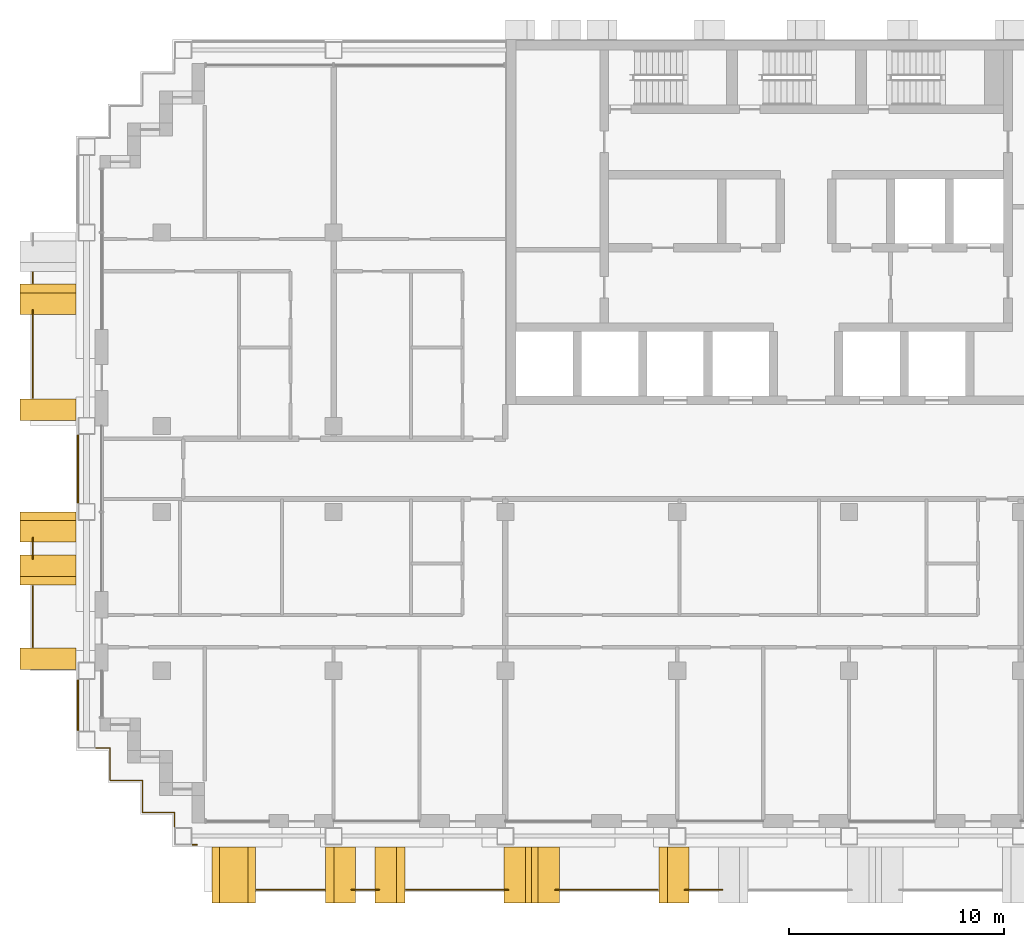
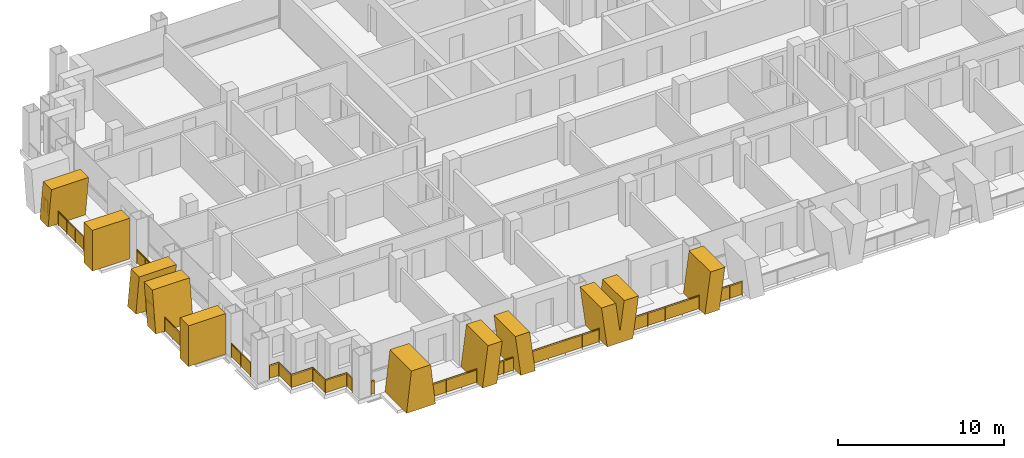
# One storey, part 13 of 17: 13 railings, 10 shading devices.
"""IFC4 building model written with IfcOpenShell, lengths in metres."""

from ifc_helpers import new_model, si_unit, direction, frame, origin, origin_2d, place, context, subcontext, project, spatial, polyline, rectangle, circle, outline, extrude, material, layer, layer_set, type_object, element, save


model = new_model("IFC4")

# Units and contexts
model_context = context("Model", 3, precision=1e-05, world=origin(), true_north=direction((0.0, 1.0)))
body_context = subcontext(model_context, "Body", "Model", "MODEL_VIEW")
ifc_project = project(units=[si_unit("LENGTHUNIT", "METRE"), si_unit("AREAUNIT", "SQUARE_METRE"), si_unit("VOLUMEUNIT", "CUBIC_METRE"), si_unit("PLANEANGLEUNIT", "RADIAN"), si_unit("MASSUNIT", "GRAM", prefix="KILO")], contexts=[model_context])

# Site, building, storey
site_placement = place(None, origin())
site = spatial("IfcSite", under=ifc_project, at=site_placement, CompositionType="ELEMENT")
building_placement = place(site_placement, origin())
building = spatial("IfcBuilding", under=site, at=building_placement, Name="Vidyagriha Tower", CompositionType="ELEMENT")
storey_placement = place(building_placement, frame((0.0, 0.0, 139.0)))
storey = spatial("IfcBuildingStorey", under=building, at=storey_placement, Name="L36", CompositionType="ELEMENT", Elevation=139.0)

# Railings
ifc_material_1 = material(Name="Steel ASTM A500 Grade C black painted", Category="steel")
railing_type_1 = type_object("IfcRailingType", Name="Balcony guard 1100", PredefinedType="BALUSTRADE", material=ifc_material_1)
railing_1_placement = place(storey_placement, frame((-36.0, 9.14990234375, 0.0)))
element("IfcRailing", 1, at=railing_1_placement, inside=storey, type_object=railing_type_1, Name="Balcony guard L36 R16.1-2", PredefinedType="BALUSTRADE", context=body_context, shape_type="SweptSolid", body=[
    extrude(circle(Radius=0.02490234375, at=origin_2d()), frame((0.0, 0.0, 1.0751953125), z_axis=(0.0, -1.0, 0.0), x_axis=(1.0, 0.0, 0.0)), (0.0, 0.0, 1.0), 0.5),
    extrude(circle(Radius=0.02001953125, at=origin_2d()), origin(), (0.0, 0.0, 1.0), 1.050048828125),
    extrude(circle(Radius=0.02001953125, at=origin_2d()), frame((0.0, -0.5, 0.0)), (0.0, 0.0, 1.0), 1.050048828125),
    extrude(rectangle(XDim=0.010009765625, YDim=0.900146484375, at=origin_2d()), frame((0.0, 0.0, 0.550048828125), z_axis=(0.0, -1.0, 0.0), x_axis=(1.0, 0.0, 0.0)), (0.0, 0.0, 1.0), 0.5),
])
railing_2_placement = place(storey_placement, frame((-36.0, 7.396728515625, 0.0)))
element("IfcRailing", 2, at=railing_2_placement, inside=storey, type_object=railing_type_1, Name="Balcony guard L36 R16.1-3", PredefinedType="BALUSTRADE", context=body_context, shape_type="SweptSolid", body=[
    extrude(circle(Radius=0.02490234375, at=origin_2d()), frame((0.0, 0.0, 1.0751953125), z_axis=(0.0, -1.0, 0.0), x_axis=(1.0, 0.0, 0.0)), (0.0, 0.0, 1.0), 4.0966796875),
    extrude(circle(Radius=0.02001953125, at=origin_2d()), origin(), (0.0, 0.0, 1.0), 1.050048828125),
    extrude(circle(Radius=0.02001953125, at=origin_2d()), frame((0.0, -1.024169921875, 0.0)), (0.0, 0.0, 1.0), 1.050048828125),
    extrude(circle(Radius=0.02001953125, at=origin_2d()), frame((0.0, -2.04833984375, 0.0)), (0.0, 0.0, 1.0), 1.050048828125),
    extrude(circle(Radius=0.02001953125, at=origin_2d()), frame((0.0, -3.072509765625, 0.0)), (0.0, 0.0, 1.0), 1.050048828125),
    extrude(circle(Radius=0.02001953125, at=origin_2d()), frame((0.0, -4.0966796875, 0.0)), (0.0, 0.0, 1.0), 1.050048828125),
    extrude(rectangle(XDim=0.010009765625, YDim=0.900146484375, at=origin_2d()), frame((0.0, 0.0, 0.550048828125), z_axis=(0.0, -1.0, 0.0), x_axis=(1.0, 0.0, 0.0)), (0.0, 0.0, 1.0), 4.0966796875),
])
railing_3_placement = place(storey_placement, frame((-36.0, -3.203369140625, 0.0)))
element("IfcRailing", 3, at=railing_3_placement, inside=storey, type_object=railing_type_1, Name="Balcony guard L36 R16.2-1", PredefinedType="BALUSTRADE", context=body_context, shape_type="SweptSolid", body=[
    extrude(circle(Radius=0.02490234375, at=origin_2d()), frame((0.0, 0.0, 1.0751953125), z_axis=(0.0, -1.0, 0.0), x_axis=(1.0, 0.0, 0.0)), (0.0, 0.0, 1.0), 0.993408203125),
    extrude(circle(Radius=0.02001953125, at=origin_2d()), origin(), (0.0, 0.0, 1.0), 1.050048828125),
    extrude(circle(Radius=0.02001953125, at=origin_2d()), frame((0.0, -0.993408203125, 0.0)), (0.0, 0.0, 1.0), 1.050048828125),
    extrude(rectangle(XDim=0.010009765625, YDim=0.900146484375, at=origin_2d()), frame((0.0, 0.0, 0.550048828125), z_axis=(0.0, -1.0, 0.0), x_axis=(1.0, 0.0, 0.0)), (0.0, 0.0, 1.0), 0.993408203125),
])
railing_4_placement = place(storey_placement, frame((-36.0, -5.449951171875, 0.0)))
element("IfcRailing", 4, at=railing_4_placement, inside=storey, type_object=railing_type_1, Name="Balcony guard L36 R16.2-2", PredefinedType="BALUSTRADE", context=body_context, shape_type="SweptSolid", body=[
    extrude(circle(Radius=0.02490234375, at=origin_2d()), frame((0.0, 0.0, 1.0751953125), z_axis=(0.0, -1.0, 0.0), x_axis=(1.0, 0.0, 0.0)), (0.0, 0.0, 1.0), 2.85009765625),
    extrude(circle(Radius=0.02001953125, at=origin_2d()), origin(), (0.0, 0.0, 1.0), 1.050048828125),
    extrude(circle(Radius=0.02001953125, at=origin_2d()), frame((0.0, -0.949951171875, 0.0)), (0.0, 0.0, 1.0), 1.050048828125),
    extrude(circle(Radius=0.02001953125, at=origin_2d()), frame((0.0, -1.900146484375, 0.0)), (0.0, 0.0, 1.0), 1.050048828125),
    extrude(circle(Radius=0.02001953125, at=origin_2d()), frame((0.0, -2.85009765625, 0.0)), (0.0, 0.0, 1.0), 1.050048828125),
    extrude(rectangle(XDim=0.010009765625, YDim=0.900146484375, at=origin_2d()), frame((0.0, 0.0, 0.550048828125), z_axis=(0.0, -1.0, 0.0), x_axis=(1.0, 0.0, 0.0)), (0.0, 0.0, 1.0), 2.85009765625),
])
railing_5_placement = place(storey_placement, frame((-25.590087890625, -19.60009765625, 0.0)))
element("IfcRailing", 5, at=railing_5_placement, inside=storey, type_object=railing_type_1, Name="Balcony guard L36 R23.1-1", PredefinedType="BALUSTRADE", context=body_context, shape_type="SweptSolid", body=[
    extrude(circle(Radius=0.02490234375, at=origin_2d()), frame((0.0, 0.0, 1.0751953125), z_axis=(1.0, 0.0, 0.0), x_axis=(0.0, 1.0, 0.0)), (0.0, 0.0, 1.0), 3.17333984375),
    extrude(circle(Radius=0.02001953125, at=origin_2d()), origin(), (0.0, 0.0, 1.0), 1.050048828125),
    extrude(circle(Radius=0.02001953125, at=origin_2d()), frame((1.057861328125, 0.0, 0.0)), (0.0, 0.0, 1.0), 1.050048828125),
    extrude(circle(Radius=0.02001953125, at=origin_2d()), frame((2.115478515625, 0.0, 0.0)), (0.0, 0.0, 1.0), 1.050048828125),
    extrude(circle(Radius=0.02001953125, at=origin_2d()), frame((3.17333984375, 0.0, 0.0)), (0.0, 0.0, 1.0), 1.050048828125),
    extrude(rectangle(XDim=0.010009765625, YDim=0.900146484375, at=origin_2d()), frame((0.0, 0.0, 0.550048828125), z_axis=(1.0, 0.0, 0.0), x_axis=(0.0, 1.0, 0.0)), (0.0, 0.0, 1.0), 3.17333984375),
])
railing_6_placement = place(storey_placement, frame((-21.169677734375, -19.60009765625, 0.0)))
element("IfcRailing", 6, at=railing_6_placement, inside=storey, type_object=railing_type_1, Name="Balcony guard L36 R23.1-2", PredefinedType="BALUSTRADE", context=body_context, shape_type="SweptSolid", body=[
    extrude(circle(Radius=0.02490234375, at=origin_2d()), frame((0.0, 0.0, 1.0751953125), z_axis=(1.0, 0.0, 0.0), x_axis=(0.0, 1.0, 0.0)), (0.0, 0.0, 1.0), 1.289306640625),
    extrude(circle(Radius=0.02001953125, at=origin_2d()), origin(), (0.0, 0.0, 1.0), 1.050048828125),
    extrude(circle(Radius=0.02001953125, at=origin_2d()), frame((0.64453125, 0.0, 0.0)), (0.0, 0.0, 1.0), 1.050048828125),
    extrude(circle(Radius=0.02001953125, at=origin_2d()), frame((1.289306640625, 0.0, 0.0)), (0.0, 0.0, 1.0), 1.050048828125),
    extrude(rectangle(XDim=0.010009765625, YDim=0.900146484375, at=origin_2d()), frame((0.0, 0.0, 0.550048828125), z_axis=(1.0, 0.0, 0.0), x_axis=(0.0, 1.0, 0.0)), (0.0, 0.0, 1.0), 1.289306640625),
])
railing_7_placement = place(storey_placement, frame((-18.63330078125, -19.60009765625, 0.0)))
element("IfcRailing", 7, at=railing_7_placement, inside=storey, type_object=railing_type_1, Name="Balcony guard L36 R23.1-3", PredefinedType="BALUSTRADE", context=body_context, shape_type="SweptSolid", body=[
    extrude(circle(Radius=0.02490234375, at=origin_2d()), frame((0.0, 0.0, 1.0751953125), z_axis=(1.0, 0.0, 0.0), x_axis=(0.0, 1.0, 0.0)), (0.0, 0.0, 1.0), 4.761962890625),
    extrude(circle(Radius=0.02001953125, at=origin_2d()), origin(), (0.0, 0.0, 1.0), 1.050048828125),
    extrude(circle(Radius=0.02001953125, at=origin_2d()), frame((1.1904296875, 0.0, 0.0)), (0.0, 0.0, 1.0), 1.050048828125),
    extrude(circle(Radius=0.02001953125, at=origin_2d()), frame((2.380859375, 0.0, 0.0)), (0.0, 0.0, 1.0), 1.050048828125),
    extrude(circle(Radius=0.02001953125, at=origin_2d()), frame((3.571533203125, 0.0, 0.0)), (0.0, 0.0, 1.0), 1.050048828125),
    extrude(circle(Radius=0.02001953125, at=origin_2d()), frame((4.761962890625, 0.0, 0.0)), (0.0, 0.0, 1.0), 1.050048828125),
    extrude(rectangle(XDim=0.010009765625, YDim=0.900146484375, at=origin_2d()), frame((0.0, 0.0, 0.550048828125), z_axis=(1.0, 0.0, 0.0), x_axis=(0.0, 1.0, 0.0)), (0.0, 0.0, 1.0), 4.761962890625),
])
railing_8_placement = place(storey_placement, frame((-11.678466796875, -19.60009765625, 0.0)))
element("IfcRailing", 8, at=railing_8_placement, inside=storey, type_object=railing_type_1, Name="Balcony guard L36 R23.1-4", PredefinedType="BALUSTRADE", context=body_context, shape_type="SweptSolid", body=[
    extrude(circle(Radius=0.02490234375, at=origin_2d()), frame((0.0, 0.0, 1.0751953125), z_axis=(1.0, 0.0, 0.0), x_axis=(0.0, 1.0, 0.0)), (0.0, 0.0, 1.0), 4.7734375),
    extrude(circle(Radius=0.02001953125, at=origin_2d()), origin(), (0.0, 0.0, 1.0), 1.050048828125),
    extrude(circle(Radius=0.02001953125, at=origin_2d()), frame((1.193359375, 0.0, 0.0)), (0.0, 0.0, 1.0), 1.050048828125),
    extrude(circle(Radius=0.02001953125, at=origin_2d()), frame((2.38671875, 0.0, 0.0)), (0.0, 0.0, 1.0), 1.050048828125),
    extrude(circle(Radius=0.02001953125, at=origin_2d()), frame((3.580078125, 0.0, 0.0)), (0.0, 0.0, 1.0), 1.050048828125),
    extrude(circle(Radius=0.02001953125, at=origin_2d()), frame((4.7734375, 0.0, 0.0)), (0.0, 0.0, 1.0), 1.050048828125),
    extrude(rectangle(XDim=0.010009765625, YDim=0.900146484375, at=origin_2d()), frame((0.0, 0.0, 0.550048828125), z_axis=(1.0, 0.0, 0.0), x_axis=(0.0, 1.0, 0.0)), (0.0, 0.0, 1.0), 4.7734375),
])
railing_9_placement = place(storey_placement, frame((-5.653564453125, -19.60009765625, 0.0)))
element("IfcRailing", 9, at=railing_9_placement, inside=storey, type_object=railing_type_1, Name="Balcony guard L36 R23.1-5", PredefinedType="BALUSTRADE", context=body_context, shape_type="SweptSolid", body=[
    extrude(circle(Radius=0.02490234375, at=origin_2d()), frame((0.0, 0.0, 1.0751953125), z_axis=(1.0, 0.0, 0.0), x_axis=(0.0, 1.0, 0.0)), (0.0, 0.0, 1.0), 1.757080078125),
    extrude(circle(Radius=0.02001953125, at=origin_2d()), origin(), (0.0, 0.0, 1.0), 1.050048828125),
    extrude(circle(Radius=0.02001953125, at=origin_2d()), frame((0.87841796875, 0.0, 0.0)), (0.0, 0.0, 1.0), 1.050048828125),
    extrude(circle(Radius=0.02001953125, at=origin_2d()), frame((1.757080078125, 0.0, 0.0)), (0.0, 0.0, 1.0), 1.050048828125),
    extrude(rectangle(XDim=0.010009765625, YDim=0.900146484375, at=origin_2d()), frame((0.0, 0.0, 0.550048828125), z_axis=(1.0, 0.0, 0.0), x_axis=(0.0, 1.0, 0.0)), (0.0, 0.0, 1.0), 1.757080078125),
])

# Shading devices
ifc_material_2 = material(Name="Precast concrete C40/50 with buff brick facing", Category="concrete")
ifc_layer_1 = layer(ifc_material_2, 1.0)
ifc_layer_set_1 = layer_set([ifc_layer_1], Name="Precast concrete C40/50 with buff brick facing")
shading_device_type_1 = type_object("IfcShadingDeviceType", Name="Brick-faced blade fin arm leaning 8 degrees", PredefinedType="USERDEFINED", material=ifc_layer_set_1)
shading_device_1_placement = place(storey_placement, frame((-35.300048828125, 8.60009765625, 0.0), z_axis=(0.0, 0.0, 1.0), x_axis=(0.0, -1.0, 0.0)))
element("IfcShadingDevice", 10, at=shading_device_1_placement, inside=storey, type_object=shading_device_type_1, Name="Leaning blade fin L36 R16.300a", ObjectType="BLADE FIN", PredefinedType="USERDEFINED", context=body_context, shape_type="SweptSolid", body=[
    extrude(outline(polyline([(0.0, 0.0), (1.0, 0.0), (1.39990234375, 3.0), (0.39990234375, 3.0), (0.0, 0.0)])), frame((0.0, 1.300048828125, 0.0), z_axis=(0.0, -1.0, 0.0), x_axis=(1.0, 0.0, 0.0)), (0.0, 0.0, 1.0), 2.60009765625),
])
shading_device_2_placement = place(storey_placement, frame((-35.300048828125, -4.0, 0.0), z_axis=(0.0, 0.0, 1.0), x_axis=(0.0, -1.0, 0.0)))
element("IfcShadingDevice", 11, at=shading_device_2_placement, inside=storey, type_object=shading_device_type_1, Name="Leaning blade fin L36 R16.1600a", ObjectType="BLADE FIN", PredefinedType="USERDEFINED", context=body_context, shape_type="SweptSolid", body=[
    extrude(outline(polyline([(0.39990234375, 0.0), (1.39990234375, 0.0), (1.0, 3.0), (0.0, 3.0), (0.39990234375, 0.0)])), frame((0.0, 1.300048828125, 0.0), z_axis=(0.0, -1.0, 0.0), x_axis=(1.0, 0.0, 0.0)), (0.0, 0.0, 1.0), 2.60009765625),
])
shading_device_3_placement = place(storey_placement, frame((-35.300048828125, -2.0, 0.0), z_axis=(0.0, 0.0, 1.0), x_axis=(0.0, -1.0, 0.0)))
element("IfcShadingDevice", 12, at=shading_device_3_placement, inside=storey, type_object=shading_device_type_1, Name="Leaning blade fin L36 R16.1600b", ObjectType="BLADE FIN", PredefinedType="USERDEFINED", context=body_context, shape_type="SweptSolid", body=[
    extrude(outline(polyline([(0.0, 0.0), (1.0, 0.0), (1.39990234375, 3.0), (0.39990234375, 3.0), (0.0, 0.0)])), frame((0.0, 1.300048828125, 0.0), z_axis=(0.0, -1.0, 0.0), x_axis=(1.0, 0.0, 0.0)), (0.0, 0.0, 1.0), 2.60009765625),
])
shading_device_4_placement = place(storey_placement, frame((-20.066650390625, -18.89990234375, 0.0)))
element("IfcShadingDevice", 13, at=shading_device_4_placement, inside=storey, type_object=shading_device_type_1, Name="Leaning blade fin L36 R23.600a", ObjectType="BLADE FIN", PredefinedType="USERDEFINED", context=body_context, shape_type="SweptSolid", body=[
    extrude(outline(polyline([(0.38330078125, 0.0), (1.38330078125, 0.0), (1.0, 3.0), (0.0, 3.0), (0.38330078125, 0.0)])), frame((0.0, 1.300048828125, 0.0), z_axis=(0.0, -1.0, 0.0), x_axis=(1.0, 0.0, 0.0)), (0.0, 0.0, 1.0), 2.60009765625),
])
shading_device_5_placement = place(storey_placement, frame((-22.36669921875, -18.89990234375, 0.0)))
element("IfcShadingDevice", 14, at=shading_device_5_placement, inside=storey, type_object=shading_device_type_1, Name="Leaning blade fin L36 R23.600b", ObjectType="BLADE FIN", PredefinedType="USERDEFINED", context=body_context, shape_type="SweptSolid", body=[
    extrude(outline(polyline([(0.0, 0.0), (1.0, 0.0), (1.38330078125, 3.0), (0.38330078125, 3.0), (0.0, 0.0)])), frame((0.0, 1.300048828125, 0.0), z_axis=(0.0, -1.0, 0.0), x_axis=(1.0, 0.0, 0.0)), (0.0, 0.0, 1.0), 2.60009765625),
])
shading_device_6_placement = place(storey_placement, frame((-6.85498046875, -18.89990234375, 0.0)))
element("IfcShadingDevice", 15, at=shading_device_6_placement, inside=storey, type_object=shading_device_type_1, Name="Leaning blade fin L36 R23.2200b", ObjectType="BLADE FIN", PredefinedType="USERDEFINED", context=body_context, shape_type="SweptSolid", body=[
    extrude(outline(polyline([(0.0, 0.0), (1.0, 0.0), (1.39501953125, 3.0), (0.39501953125, 3.0), (0.0, 0.0)])), frame((0.0, 1.300048828125, 0.0), z_axis=(0.0, -1.0, 0.0), x_axis=(1.0, 0.0, 0.0)), (0.0, 0.0, 1.0), 2.60009765625),
])
ifc_material_3 = material(Name="Precast concrete C40/50 with buff brick facing", Category="concrete")
ifc_layer_2 = layer(ifc_material_3, 1.0)
ifc_layer_set_2 = layer_set([ifc_layer_2], Name="Precast concrete C40/50 with buff brick facing")
shading_device_type_2 = type_object("IfcShadingDeviceType", Name="Brick-faced blade fin forking 8 degrees", PredefinedType="USERDEFINED", material=ifc_layer_set_2)
shading_device_7_placement = place(storey_placement, frame((-27.659912109375, -18.89990234375, 0.0)))
element("IfcShadingDevice", 16, at=shading_device_7_placement, inside=storey, type_object=shading_device_type_2, Name="Forked blade fin L36 R23.0a", ObjectType="BLADE FIN", PredefinedType="USERDEFINED", context=body_context, shape_type="SweptSolid", body=[
    extrude(outline(polyline([(1.0, 0.0), (1.010009765625, 0.088134765625), (1.02001953125, 0.0), (2.02001953125, 0.0), (1.679931640625, 3.0), (0.340087890625, 3.0), (0.0, 0.0), (1.0, 0.0)])), frame((0.0, 1.300048828125, 0.0), z_axis=(0.0, -1.0, 0.0), x_axis=(1.0, 0.0, 0.0)), (0.0, 0.0, 1.0), 2.60009765625),
])
shading_device_8_placement = place(storey_placement, frame((-14.06494140625, -18.89990234375, 0.0)))
element("IfcShadingDevice", 17, at=shading_device_8_placement, inside=storey, type_object=shading_device_type_2, Name="Forked blade fin L36 R23.1400a", ObjectType="BLADE FIN", PredefinedType="USERDEFINED", context=body_context, shape_type="SweptSolid", body=[
    extrude(outline(polyline([(0.39501953125, 0.0), (2.18505859375, 0.0), (2.580078125, 3.0), (1.580078125, 3.0), (1.2900390625, 0.797607421875), (1.0, 3.0), (0.0, 3.0), (0.39501953125, 0.0)])), frame((0.0, 1.300048828125, 0.0), z_axis=(0.0, -1.0, 0.0), x_axis=(1.0, 0.0, 0.0)), (0.0, 0.0, 1.0), 2.60009765625),
])
ifc_material_4 = material(Name="Precast concrete C40/50 with buff brick facing", Category="concrete")
ifc_layer_3 = layer(ifc_material_4, 1.0)
ifc_layer_set_3 = layer_set([ifc_layer_3], Name="Precast concrete C40/50 with buff brick facing")
shading_device_type_3 = type_object("IfcShadingDeviceType", Name="Brick-faced blade fin stem 1000", PredefinedType="USERDEFINED", material=ifc_layer_set_3)
for number, where, z_axis, x_axis, name in (
    (18, (-35.300048828125, 3.25, 0.0), (0.0, 0.0, 1.0), (0.0, -1.0, 0.0), "Stem blade fin L36 R16.1200a"),
    (19, (-35.300048828125, -8.35009765625, 0.0), (0.0, 0.0, 1.0), (0.0, -1.0, 0.0), "Stem blade fin L36 R16.2340a"),
):
    element("IfcShadingDevice", number, at=place(storey_placement, frame(where, z_axis=z_axis, x_axis=x_axis)), inside=storey, type_object=shading_device_type_3, Name=name, ObjectType="BLADE FIN", PredefinedType="USERDEFINED", context=body_context, shape_type="SweptSolid", body=[
        extrude(outline(polyline([(0.0, 0.0), (1.0, 0.0), (1.0, 3.0), (0.0, 3.0), (0.0, 0.0)])), frame((0.0, 1.300048828125, 0.0), z_axis=(0.0, -1.0, 0.0), x_axis=(1.0, 0.0, 0.0)), (0.0, 0.0, 1.0), 2.60009765625),
    ])

# Railings
ifc_material_5 = material(Name="Steel ASTM A500 Grade C black painted", Category="steel")
railing_type_2 = type_object("IfcRailingType", Name="Gallery guard 1100", PredefinedType="GUARDRAIL", material=ifc_material_5)
railing_10_placement = place(storey_placement, frame((-33.89990234375, -12.169921875, 0.0)))
element("IfcRailing", 20, at=railing_10_placement, inside=storey, type_object=railing_type_2, Name="Gallery guard L36 1", PredefinedType="GUARDRAIL", context=body_context, shape_type="SweptSolid", body=[
    extrude(circle(Radius=0.02490234375, at=origin_2d()), frame((0.0, 0.0, 1.0751953125), z_axis=(0.0, 1.0, 0.0), x_axis=(-1.0, 0.0, 0.0)), (0.0, 0.0, 1.0), 2.33984375),
    extrude(circle(Radius=0.02001953125, at=origin_2d()), origin(), (0.0, 0.0, 1.0), 1.050048828125),
    extrude(circle(Radius=0.02001953125, at=origin_2d()), frame((0.0, 1.169921875, 0.0)), (0.0, 0.0, 1.0), 1.050048828125),
    extrude(circle(Radius=0.02001953125, at=origin_2d()), frame((0.0, 2.33984375, 0.0)), (0.0, 0.0, 1.0), 1.050048828125),
    extrude(rectangle(XDim=0.010009765625, YDim=0.900146484375, at=origin_2d()), frame((0.0, 0.0, 0.550048828125), z_axis=(0.0, 1.0, 0.0), x_axis=(-1.0, 0.0, 0.0)), (0.0, 0.0, 1.0), 2.33984375),
])
railing_11_placement = place(storey_placement, frame((-33.89990234375, -1.570068359375, 0.0)))
element("IfcRailing", 21, at=railing_11_placement, inside=storey, type_object=railing_type_2, Name="Gallery guard L36 2", PredefinedType="GUARDRAIL", context=body_context, shape_type="SweptSolid", body=[
    extrude(circle(Radius=0.02490234375, at=origin_2d()), frame((0.0, 0.0, 1.0751953125), z_axis=(0.0, 1.0, 0.0), x_axis=(-1.0, 0.0, 0.0)), (0.0, 0.0, 1.0), 3.14013671875),
    extrude(circle(Radius=0.02001953125, at=origin_2d()), origin(), (0.0, 0.0, 1.0), 1.050048828125),
    extrude(circle(Radius=0.02001953125, at=origin_2d()), frame((0.0, 1.046630859375, 0.0)), (0.0, 0.0, 1.0), 1.050048828125),
    extrude(circle(Radius=0.02001953125, at=origin_2d()), frame((0.0, 2.093505859375, 0.0)), (0.0, 0.0, 1.0), 1.050048828125),
    extrude(circle(Radius=0.02001953125, at=origin_2d()), frame((0.0, 3.14013671875, 0.0)), (0.0, 0.0, 1.0), 1.050048828125),
    extrude(rectangle(XDim=0.010009765625, YDim=0.900146484375, at=origin_2d()), frame((0.0, 0.0, 0.550048828125), z_axis=(0.0, 1.0, 0.0), x_axis=(-1.0, 0.0, 0.0)), (0.0, 0.0, 1.0), 3.14013671875),
])
railing_12_placement = place(storey_placement, frame((-29.39990234375, -16.669921875, 0.0)))
element("IfcRailing", 22, at=railing_12_placement, inside=storey, type_object=railing_type_2, Name="Gallery guard L36 4", PredefinedType="GUARDRAIL", context=body_context, shape_type="SweptSolid", body=[
    extrude(circle(Radius=0.02490234375, at=origin_2d()), frame((0.0, 0.0, 1.0751953125), z_axis=(0.0, 1.0, 0.0), x_axis=(-1.0, 0.0, 0.0)), (0.0, 0.0, 1.0), 0.669921875),
    extrude(circle(Radius=0.02490234375, at=origin_2d()), frame((0.0, 0.669921875, 1.0751953125), z_axis=(-1.0, 0.0, 0.0), x_axis=(0.0, -1.0, 0.0)), (0.0, 0.0, 1.0), 1.5),
    extrude(circle(Radius=0.02490234375, at=origin_2d()), frame((-1.5, 0.669921875, 1.0751953125), z_axis=(0.0, 1.0, 0.0), x_axis=(-1.0, 0.0, 0.0)), (0.0, 0.0, 1.0), 1.5),
    extrude(circle(Radius=0.02490234375, at=origin_2d()), frame((-1.5, 2.169921875, 1.0751953125), z_axis=(-1.0, 0.0, 0.0), x_axis=(0.0, -1.0, 0.0)), (0.0, 0.0, 1.0), 1.5),
    extrude(circle(Radius=0.02490234375, at=origin_2d()), frame((-3.0, 2.169921875, 1.0751953125), z_axis=(0.0, 1.0, 0.0), x_axis=(-1.0, 0.0, 0.0)), (0.0, 0.0, 1.0), 1.5),
    extrude(circle(Radius=0.02490234375, at=origin_2d()), frame((-3.0, 3.669921875, 1.0751953125), z_axis=(-1.0, 0.0, 0.0), x_axis=(0.0, -1.0, 0.0)), (0.0, 0.0, 1.0), 0.670166015625),
    extrude(circle(Radius=0.02001953125, at=origin_2d()), origin(), (0.0, 0.0, 1.0), 1.050048828125),
    extrude(circle(Radius=0.02001953125, at=origin_2d()), frame((0.0, 0.669921875, 0.0)), (0.0, 0.0, 1.0), 1.050048828125),
    extrude(circle(Radius=0.02001953125, at=origin_2d()), frame((-1.5, 0.669921875, 0.0)), (0.0, 0.0, 1.0), 1.050048828125),
    extrude(circle(Radius=0.02001953125, at=origin_2d()), frame((-1.5, 2.169921875, 0.0)), (0.0, 0.0, 1.0), 1.050048828125),
    extrude(circle(Radius=0.02001953125, at=origin_2d()), frame((-3.0, 2.169921875, 0.0)), (0.0, 0.0, 1.0), 1.050048828125),
    extrude(circle(Radius=0.02001953125, at=origin_2d()), frame((-3.0, 3.669921875, 0.0)), (0.0, 0.0, 1.0), 1.050048828125),
    extrude(circle(Radius=0.02001953125, at=origin_2d()), frame((-3.670166015625, 3.669921875, 0.0)), (0.0, 0.0, 1.0), 1.050048828125),
    extrude(rectangle(XDim=0.010009765625, YDim=0.900146484375, at=origin_2d()), frame((0.0, 0.0, 0.550048828125), z_axis=(0.0, 1.0, 0.0), x_axis=(-1.0, 0.0, 0.0)), (0.0, 0.0, 1.0), 0.669921875),
    extrude(rectangle(XDim=0.010009765625, YDim=0.900146484375, at=origin_2d()), frame((0.0, 0.669921875, 0.550048828125), z_axis=(-1.0, 0.0, 0.0), x_axis=(0.0, -1.0, 0.0)), (0.0, 0.0, 1.0), 1.5),
    extrude(rectangle(XDim=0.010009765625, YDim=0.900146484375, at=origin_2d()), frame((-1.5, 0.669921875, 0.550048828125), z_axis=(0.0, 1.0, 0.0), x_axis=(-1.0, 0.0, 0.0)), (0.0, 0.0, 1.0), 1.5),
    extrude(rectangle(XDim=0.010009765625, YDim=0.900146484375, at=origin_2d()), frame((-1.5, 2.169921875, 0.550048828125), z_axis=(-1.0, 0.0, 0.0), x_axis=(0.0, -1.0, 0.0)), (0.0, 0.0, 1.0), 1.5),
    extrude(rectangle(XDim=0.010009765625, YDim=0.900146484375, at=origin_2d()), frame((-3.0, 2.169921875, 0.550048828125), z_axis=(0.0, 1.0, 0.0), x_axis=(-1.0, 0.0, 0.0)), (0.0, 0.0, 1.0), 1.5),
    extrude(rectangle(XDim=0.010009765625, YDim=0.900146484375, at=origin_2d()), frame((-3.0, 3.669921875, 0.550048828125), z_axis=(-1.0, 0.0, 0.0), x_axis=(0.0, -1.0, 0.0)), (0.0, 0.0, 1.0), 0.670166015625),
])
railing_13_placement = place(storey_placement, frame((-28.360107421875, -17.5, 0.0)))
element("IfcRailing", 23, at=railing_13_placement, inside=storey, type_object=railing_type_2, Name="Gallery guard L36 6", PredefinedType="GUARDRAIL", context=body_context, shape_type="SweptSolid", body=[
    extrude(circle(Radius=0.02490234375, at=origin_2d()), frame((0.0, 0.0, 1.0751953125), z_axis=(-1.0, 0.0, 0.0), x_axis=(0.0, -1.0, 0.0)), (0.0, 0.0, 1.0), 0.2099609375),
    extrude(circle(Radius=0.02001953125, at=origin_2d()), origin(), (0.0, 0.0, 1.0), 1.050048828125),
    extrude(circle(Radius=0.02001953125, at=origin_2d()), frame((-0.2099609375, 0.0, 0.0)), (0.0, 0.0, 1.0), 1.050048828125),
    extrude(rectangle(XDim=0.010009765625, YDim=0.900146484375, at=origin_2d()), frame((0.0, 0.0, 0.550048828125), z_axis=(-1.0, 0.0, 0.0), x_axis=(0.0, -1.0, 0.0)), (0.0, 0.0, 1.0), 0.2099609375),
])

save(model, "model.ifc")
